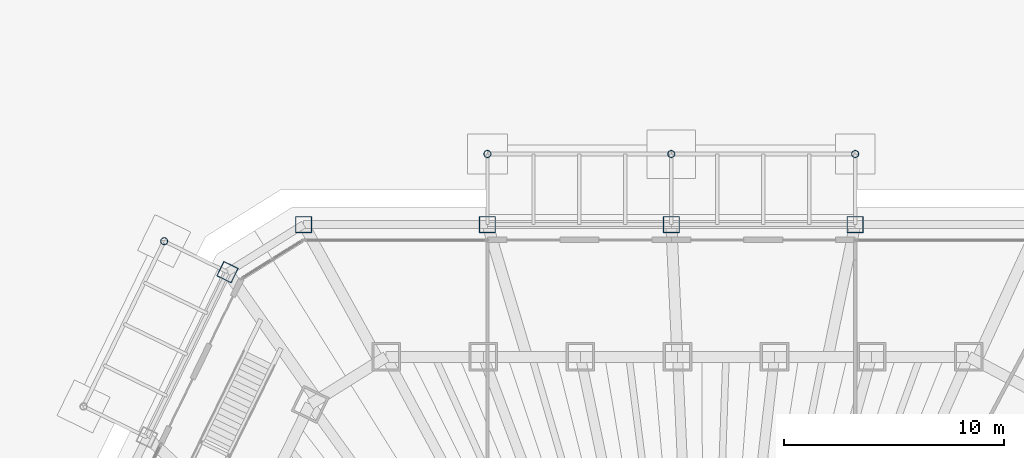
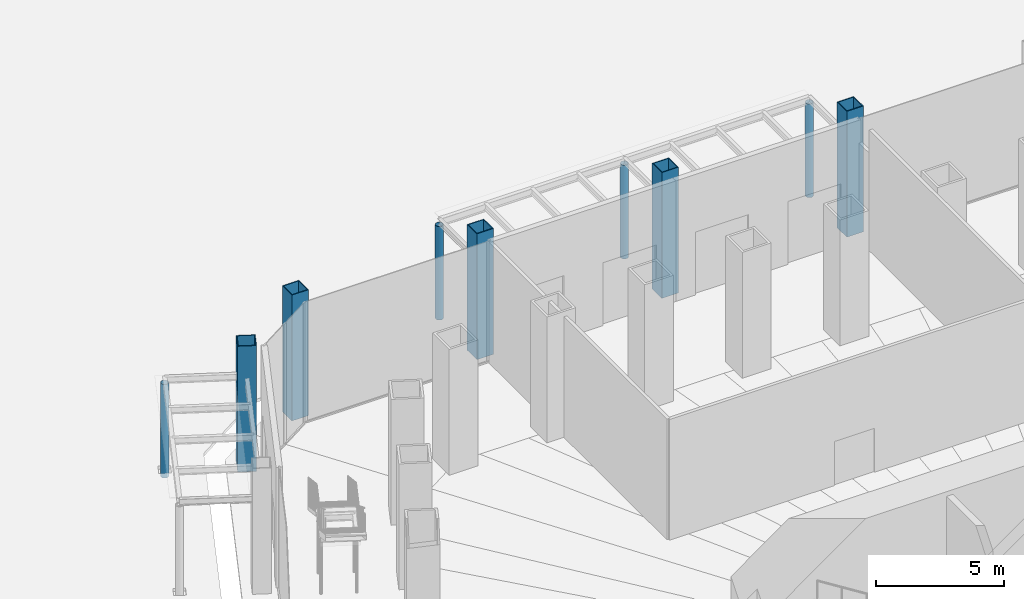
# One storey, part 9 of 45: 9 columns.
"""IFC4 building model written with IfcOpenShell, lengths in metres."""

from ifc_helpers import new_model, si_unit, direction, frame, origin, origin_2d, place, context, subcontext, project, spatial, hollow_rectangle, hollow_circle, extrude, material, material_profile, profile_set, type_object, element, save


model = new_model("IFC4")

# Units and contexts
model_context = context("Model", 3, precision=1e-05, world=origin(), true_north=direction((0.0, 1.0)))
body_context = subcontext(model_context, "Body", "Model", "MODEL_VIEW")
ifc_project = project(units=[si_unit("LENGTHUNIT", "METRE"), si_unit("AREAUNIT", "SQUARE_METRE"), si_unit("VOLUMEUNIT", "CUBIC_METRE"), si_unit("PLANEANGLEUNIT", "RADIAN"), si_unit("MASSUNIT", "GRAM", prefix="KILO")], contexts=[model_context])

# Site, building, storey
site_placement = place(None, origin())
site = spatial("IfcSite", under=ifc_project, at=site_placement, CompositionType="ELEMENT")
building_placement = place(site_placement, origin())
building = spatial("IfcBuilding", under=site, at=building_placement, Name="Qingtian Harvest Tower", CompositionType="ELEMENT")
storey_placement = place(building_placement, origin())
storey = spatial("IfcBuildingStorey", under=building, at=storey_placement, Name="L00", CompositionType="ELEMENT", Elevation=0.0)

# Columns
ifc_material_1 = material(Name="Steel SN490B", Category="steel")
ifc_material_profile_1 = material_profile(ifc_material_1, hollow_circle(Radius=0.161865234375, WallThickness=0.012451171875, at=origin_2d()), Name="CHS324x12.5")
ifc_profile_set_1 = profile_set([ifc_material_profile_1], Name="Steel SN490B")
column_type_1 = type_object("IfcColumnType", Name="Canopy column CC1 CHS324x12.5", PredefinedType="COLUMN", material=ifc_profile_set_1)
for number, where, z_axis, x_axis, name in (
    (1, (-9.87890625, 36.199951171875, -0.300048828125), (0.0, 0.0, 1.0), (1.0, 0.0, 0.0), "Canopy column CC1 CN1 1"),
    (2, (-1.537109375, 36.199951171875, -0.300048828125), (0.0, 0.0, 1.0), (1.0, 0.0, 0.0), "Canopy column CC1 CN1 2"),
    (3, (6.8046875, 36.199951171875, -0.300048828125), (0.0, 0.0, 1.0), (1.0, 0.0, 0.0), "Canopy column CC1 CN1 3"),
    (4, (-24.548828125, 32.24560546875, -0.300048828125), (0.0, 0.0, 1.0), (1.0, 0.0, 0.0), "Canopy column CC1 CN5 4"),
):
    element("IfcColumn", number, at=place(storey_placement, frame(where, z_axis=z_axis, x_axis=x_axis)), inside=storey, type_object=column_type_1, Name=name, PredefinedType="COLUMN", context=body_context, shape_type="SweptSolid", body=[
        extrude(hollow_circle(Radius=0.161865234375, WallThickness=0.012451171875, at=origin_2d()), origin(), (0.0, 0.0, 1.0), 4.4599609375),
    ])
ifc_material_2 = material(Name="Steel SM570MC", Category="steel")
ifc_material_profile_2 = material_profile(ifc_material_2, hollow_rectangle(XDim=0.75, YDim=0.75, WallThickness=0.035888671875, at=origin_2d()), Name="BOX750x750x36")
ifc_profile_set_2 = profile_set([ifc_material_profile_2], Name="Steel SM570MC")
column_type_2 = type_object("IfcColumnType", Name="Podium column PC1 BOX750x750x36", PredefinedType="COLUMN", material=ifc_profile_set_2)
for number, where, z_axis, x_axis, name in (
    (5, (-18.220703125, 33.0, 0.0), (0.0, 0.0, 1.0), (-1.0, 0.0, 0.0), "Podium column PC1 N0"),
    (6, (-9.87890625, 33.0, 0.0), (0.0, 0.0, 1.0), (-1.0, 0.0, 0.0), "Podium column PC1 N1"),
    (7, (-1.537109375, 33.0, 0.0), (0.0, 0.0, 1.0), (-1.0, 0.0, 0.0), "Podium column PC1 N2"),
    (8, (6.8046875, 33.0, 0.0), (0.0, 0.0, 1.0), (-1.0, 0.0, 0.0), "Podium column PC1 N3"),
    (9, (-21.6728515625, 30.8427734375, 0.0), (0.0, 0.0, 1.0), (-0.438371146789, -0.898794046299, 0.0), "Podium column PC1 NW4"),
):
    element("IfcColumn", number, at=place(storey_placement, frame(where, z_axis=z_axis, x_axis=x_axis)), inside=storey, type_object=column_type_2, Name=name, PredefinedType="COLUMN", context=body_context, shape_type="SweptSolid", body=[
        extrude(hollow_rectangle(XDim=0.75, YDim=0.75, WallThickness=0.035888671875, at=origin_2d()), origin(), (0.0, 0.0, 1.0), 6.0),
    ])

save(model, "model.ifc")
